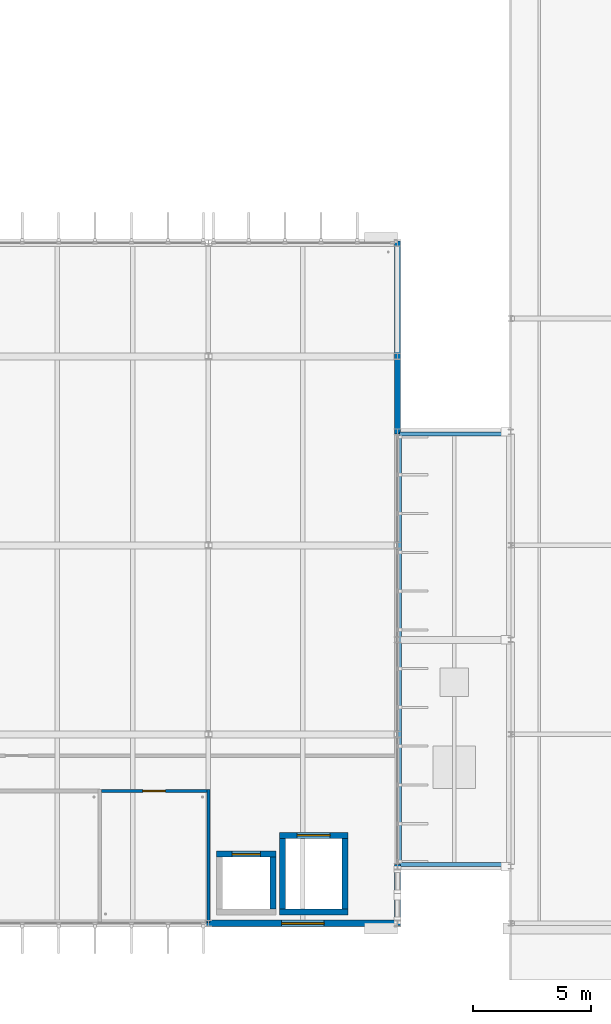
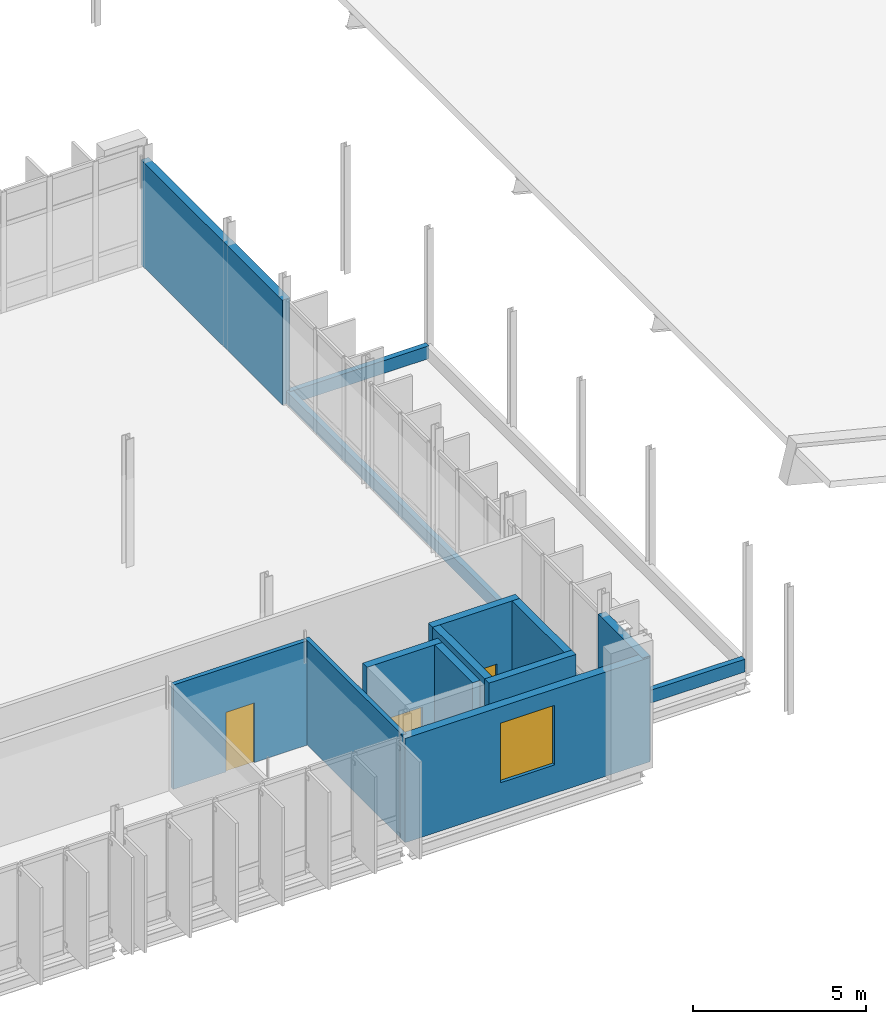
# One storey, part 54 of 93: 14 walls, 3 doors, 1 window, 4 openings.
"""IFC4 building model written with IfcOpenShell, lengths in metres."""

from ifc_helpers import new_model, si_unit, direction, frame, frame_2d, origin, place, context, subcontext, project, spatial, rectangle, extrude, material, layer, layer_set, type_object, element, fill, save


model = new_model("IFC4")

# Units and contexts
model_context = context("Model", 3, precision=1e-05, world=origin(), true_north=direction((0.0, 1.0)))
body_context = subcontext(model_context, "Body", "Model", "MODEL_VIEW")
ifc_project = project(units=[si_unit("LENGTHUNIT", "METRE"), si_unit("AREAUNIT", "SQUARE_METRE"), si_unit("VOLUMEUNIT", "CUBIC_METRE"), si_unit("PLANEANGLEUNIT", "RADIAN"), si_unit("MASSUNIT", "GRAM", prefix="KILO")], contexts=[model_context])

# Site, building, storey
site_placement = place(None, origin())
site = spatial("IfcSite", under=ifc_project, at=site_placement, CompositionType="ELEMENT")
building_placement = place(site_placement, origin())
building = spatial("IfcBuilding", under=site, at=building_placement, Name="Dunescarp Central Library", CompositionType="ELEMENT")
storey_placement = place(building_placement, frame((0.0, 0.0, 14.10009765625)))
storey = spatial("IfcBuildingStorey", under=building, at=storey_placement, Name="L03", CompositionType="ELEMENT", Elevation=14.10009765625)

# Wall, opening, door
ifc_material_1 = material(Name="Autoclaved aerated concrete block", Category="concrete")
ifc_layer_1 = layer(ifc_material_1, 0.139892578125)
ifc_layer_set_1 = layer_set([ifc_layer_1], Name="Autoclaved aerated concrete block")
wall_type_1 = type_object("IfcWallType", Name="ARC-PT-WET140", PredefinedType="PARTITIONING", material=ifc_layer_set_1)
wall_1_placement = place(storey_placement, frame((112.27001953125, 10.39990234375, 0.0), z_axis=(0.0, 0.0, 1.0), x_axis=(1.0, 0.0, 0.0)))
wall_1 = element("IfcWall", 1, at=wall_1_placement, inside=storey, type_object=wall_type_1, Name="L03 partition PT-L03-0290", PredefinedType="PARTITIONING", context=body_context, shape_type="SweptSolid", body=[
    extrude(rectangle(XDim=4.4599609375, YDim=0.139892578125, at=frame_2d((2.22998046875, 0.0))), origin(), (0.0, 0.0, 1.0), 3.6748046875),
])
opening_1_placement = place(wall_1_placement, frame((1.7548828125, 0.0, 0.0)))
opening_1 = element("IfcOpeningElement", 2, at=opening_1_placement, cuts=wall_1, Name="Opening DR-L03-0122", PredefinedType="OPENING", context=body_context, shape_type="SweptSolid", body=[
    extrude(rectangle(XDim=0.949951171875, YDim=2.10009765625, at=frame_2d((0.47509765625, 1.050048828125))), frame((0.0, 0.080078125, 0.0), z_axis=(0.0, -1.0, 0.0), x_axis=(1.0, 0.0, 0.0)), (0.0, 0.0, 1.0), 0.159912109375),
])
ifc_material_2 = material(Name="Hardwood solid-core timber leaf", Category="wood")
door_type_1 = type_object("IfcDoorType", Name="ARC-DR-WC950", OperationType="NOTDEFINED", PredefinedType="DOOR", material=ifc_material_2)
door_1_placement = place(opening_1_placement, origin())
door_1 = element("IfcDoor", 3, at=door_1_placement, inside=storey, type_object=door_type_1, Name="L03 interior door DR-L03-0122", OperationType="SINGLE_SWING_LEFT", OverallHeight=2.10009765625, OverallWidth=0.949951171875, PredefinedType="DOOR", context=body_context, shape_type="SweptSolid", body=[
    extrude(rectangle(XDim=0.949951171875, YDim=2.10009765625, at=frame_2d((0.47509765625, 1.050048828125))), frame((0.0, 0.02490234375, 0.0), z_axis=(0.0, -1.0, 0.0), x_axis=(1.0, 0.0, 0.0)), (0.0, 0.0, 1.0), 0.050048828125),
])
fill(opening_1, door_1)

# Walls
wall_2_placement = place(storey_placement, frame((116.800048828125, 4.840087890625, 0.0), z_axis=(0.0, 0.0, 1.0), x_axis=(0.0, 1.0, 0.0)))
element("IfcWall", 4, at=wall_2_placement, inside=storey, type_object=wall_type_1, Name="L03 partition PT-L03-0292", PredefinedType="PARTITIONING", context=body_context, shape_type="SweptSolid", body=[
    extrude(rectangle(XDim=5.6298828125, YDim=0.139892578125, at=frame_2d((2.81494140625, 0.0))), origin(), (0.0, 0.0, 1.0), 3.685791015625),
])
ifc_material_3 = material(Name="Glass-fibre reinforced concrete GRC", Category="concrete")
ifc_layer_2 = layer(ifc_material_3, 0.260009765625)
ifc_layer_set_2 = layer_set([ifc_layer_2], Name="Glass-fibre reinforced concrete GRC")
wall_type_2 = type_object("IfcWallType", Name="ARC-WL-GRC260", PredefinedType="SOLIDWALL", material=ifc_layer_set_2)
wall_3_placement = place(storey_placement, frame((124.800048828125, 7.284912109375, 0.0), z_axis=(0.0, 0.0, 1.0), x_axis=(0.0, -1.0, 0.0)))
element("IfcWall", 5, at=wall_3_placement, inside=storey, type_object=wall_type_2, Name="L03 external wall EW-V3-085", PredefinedType="SOLIDWALL", context=body_context, shape_type="SweptSolid", body=[
    extrude(rectangle(XDim=2.56982421875, YDim=0.260009765625, at=frame_2d((1.284912109375, 0.0))), origin(), (0.0, 0.0, 1.0), 3.685791015625),
])
wall_4_placement = place(storey_placement, frame((124.800048828125, 33.68505859375, 0.0), z_axis=(0.0, 0.0, 1.0), x_axis=(0.0, -1.0, 0.0)))
element("IfcWall", 6, at=wall_4_placement, inside=storey, type_object=wall_type_2, Name="L03 external wall EW-V3-086", PredefinedType="SOLIDWALL", context=body_context, shape_type="SweptSolid", body=[
    extrude(rectangle(XDim=8.170166015625, YDim=0.260009765625, at=frame_2d((4.0849609375, 0.0))), origin(), (0.0, 0.0, 1.0), 3.685791015625),
])

# Wall, opening, window
ifc_layer_3 = layer(ifc_material_3, 0.280029296875)
ifc_layer_set_3 = layer_set([ifc_layer_3], Name="Glass-fibre reinforced concrete GRC")
wall_type_3 = type_object("IfcWallType", Name="ARC-WL-GRC280", PredefinedType="SOLIDWALL", material=ifc_layer_set_3)
wall_5_placement = place(storey_placement, frame((124.885009765625, 4.800048828125, 0.0), z_axis=(0.0, 0.0, 1.0), x_axis=(-1.0, 0.0, 0.0)))
wall_5 = element("IfcWall", 7, at=wall_5_placement, inside=storey, type_object=wall_type_3, Name="L03 external wall EW-V3-082", PredefinedType="SOLIDWALL", context=body_context, shape_type="SweptSolid", body=[
    extrude(rectangle(XDim=8.169921875, YDim=0.280029296875, at=frame_2d((4.0849609375, 0.0))), origin(), (0.0, 0.0, 1.0), 3.6748046875),
])
opening_2_placement = place(wall_5_placement, frame((3.18505859375, 0.0, 1.0)))
opening_2 = element("IfcOpeningElement", 8, at=opening_2_placement, cuts=wall_5, Name="Opening WN-017", PredefinedType="OPENING", context=body_context, shape_type="SweptSolid", body=[
    extrude(rectangle(XDim=1.800048828125, YDim=2.10009765625, at=frame_2d((0.89990234375, 1.050048828125))), frame((0.0, 0.14990234375, 0.0), z_axis=(0.0, -1.0, 0.0), x_axis=(1.0, 0.0, 0.0)), (0.0, 0.0, 1.0), 0.300048828125),
])
ifc_material_4 = material(Name="Solar-control laminated double glazing", Category="glass")
window_type = type_object("IfcWindowType", Name="ARC-WN-1800X2100", PartitioningType="SINGLE_PANEL", PredefinedType="WINDOW", material=ifc_material_4)
window_placement = place(opening_2_placement, origin())
window = element("IfcWindow", 9, at=window_placement, inside=storey, type_object=window_type, Name="L03 window WN-017", OverallHeight=2.10009765625, OverallWidth=1.800048828125, PartitioningType="SINGLE_PANEL", PredefinedType="WINDOW", context=body_context, shape_type="SweptSolid", body=[
    extrude(rectangle(XDim=1.800048828125, YDim=2.10009765625, at=frame_2d((0.89990234375, 1.050048828125))), frame((0.0, 0.030029296875, 0.0), z_axis=(0.0, -1.0, 0.0), x_axis=(1.0, 0.0, 0.0)), (0.0, 0.0, 1.0), 0.06005859375),
])
fill(opening_2, window)

# Walls
ifc_material_5 = material(Name="Concrete C35/45", Category="concrete")
ifc_layer_4 = layer(ifc_material_5, 0.179931640625)
ifc_layer_set_4 = layer_set([ifc_layer_4], Name="Concrete C35/45")
wall_type_4 = type_object("IfcWallType", Name="ARC-WL-PAR180", PredefinedType="PARAPET", material=ifc_layer_set_4)
for number, where, z_axis, x_axis, name in (
    (10, (129.510009765625, 7.2900390625, 0.0), (0.0, 0.0, 1.0), (-1.0, 0.0, 0.0), "L03 maintenance roof parapet PAR-L03-005"),
    (11, (124.889892578125, 25.510009765625, 0.0), (0.0, 0.0, 1.0), (1.0, 0.0, 0.0), "L03 maintenance roof parapet PAR-L03-006"),
):
    element("IfcWall", number, at=place(storey_placement, frame(where, z_axis=z_axis, x_axis=x_axis)), inside=storey, type_object=wall_type_4, Name=name, PredefinedType="PARAPET", context=body_context, shape_type="SweptSolid", body=[
        extrude(rectangle(XDim=4.6201171875, YDim=0.179931640625, at=frame_2d((2.31005859375, 0.0))), origin(), (0.0, 0.0, 1.0), 0.449951171875),
    ])
wall_6_placement = place(storey_placement, frame((124.889892578125, 7.2900390625, 0.0), z_axis=(0.0, 0.0, 1.0), x_axis=(0.0, 1.0, 0.0)))
element("IfcWall", 12, at=wall_6_placement, inside=storey, type_object=wall_type_4, Name="L03 maintenance roof parapet PAR-L03-007", PredefinedType="PARAPET", context=body_context, shape_type="SweptSolid", body=[
    extrude(rectangle(XDim=18.219970703125, YDim=0.179931640625, at=frame_2d((9.10986328125, 0.0))), origin(), (0.0, 0.0, 1.0), 0.449951171875),
])

# Wall, opening, door
ifc_material_6 = material(Name="Concrete C40/50", Category="concrete")
ifc_layer_5 = layer(ifc_material_6, 0.25)
ifc_layer_set_5 = layer_set([ifc_layer_5], Name="Concrete C40/50")
wall_type_5 = type_object("IfcWallType", Name="STR-WL-CORE250", PredefinedType="SHEAR", material=ifc_layer_set_5)
wall_7_placement = place(storey_placement, frame((117.14990234375, 7.72509765625, 0.0), z_axis=(0.0, 0.0, 1.0), x_axis=(1.0, 0.0, 0.0)))
wall_7 = element("IfcWall", 13, at=wall_7_placement, inside=storey, type_object=wall_type_5, Name="L03 PL-3 lift shaft wall N", PredefinedType="SHEAR", context=body_context, shape_type="SweptSolid", body=[
    extrude(rectangle(XDim=2.5, YDim=0.25, at=frame_2d((1.25, 0.0))), origin(), (0.0, 0.0, 1.0), 4.25),
])
opening_3_placement = place(wall_7_placement, frame((0.64990234375, 0.0, 0.0)))
opening_3 = element("IfcOpeningElement", 14, at=opening_3_placement, cuts=wall_7, Name="Opening LD-PL-3-L03", PredefinedType="OPENING", context=body_context, shape_type="SweptSolid", body=[
    extrude(rectangle(XDim=1.199951171875, YDim=2.199951171875, at=frame_2d((0.60009765625, 1.10009765625))), frame((0.0, 0.135009765625, 0.0), z_axis=(0.0, -1.0, 0.0), x_axis=(1.0, 0.0, 0.0)), (0.0, 0.0, 1.0), 0.27001953125),
])
ifc_material_7 = material(Name="Stainless steel Grade 316L", Category="steel")
door_type_2 = type_object("IfcDoorType", Name="ARC-DR-LD1200", OperationType="DOUBLE_DOOR_SLIDING", PredefinedType="DOOR", material=ifc_material_7)
door_2_placement = place(opening_3_placement, origin())
door_2 = element("IfcDoor", 15, at=door_2_placement, inside=storey, type_object=door_type_2, Name="L03 PL-3 lift landing door", OperationType="DOUBLE_DOOR_SLIDING", OverallHeight=2.199951171875, OverallWidth=1.199951171875, PredefinedType="DOOR", context=body_context, shape_type="SweptSolid", body=[
    extrude(rectangle(XDim=1.199951171875, YDim=2.199951171875, at=frame_2d((0.60009765625, 1.10009765625))), frame((0.0, 0.02490234375, 0.0), z_axis=(0.0, -1.0, 0.0), x_axis=(1.0, 0.0, 0.0)), (0.0, 0.0, 1.0), 0.050048828125),
])
fill(opening_3, door_2)

# Walls
wall_8_placement = place(storey_placement, frame((119.52490234375, 7.60009765625, 0.0), z_axis=(0.0, 0.0, 1.0), x_axis=(0.0, -1.0, 0.0)))
element("IfcWall", 16, at=wall_8_placement, inside=storey, type_object=wall_type_5, Name="L03 PL-3 lift shaft wall E", PredefinedType="SHEAR", context=body_context, shape_type="SweptSolid", body=[
    extrude(rectangle(XDim=2.2001953125, YDim=0.25, at=frame_2d((1.10009765625, 0.0))), origin(), (0.0, 0.0, 1.0), 4.25),
])
wall_9_placement = place(storey_placement, frame((122.699951171875, 5.27490234375, 0.0), z_axis=(0.0, 0.0, 1.0), x_axis=(-1.0, 0.0, 0.0)))
element("IfcWall", 17, at=wall_9_placement, inside=storey, type_object=wall_type_5, Name="L03 BL-1 lift shaft wall S", PredefinedType="SHEAR", context=body_context, shape_type="SweptSolid", body=[
    extrude(rectangle(XDim=2.89990234375, YDim=0.25, at=frame_2d((1.449951171875, 0.0))), origin(), (0.0, 0.0, 1.0), 4.25),
])

# Wall, opening, door
wall_10_placement = place(storey_placement, frame((119.800048828125, 8.52490234375, 0.0), z_axis=(0.0, 0.0, 1.0), x_axis=(1.0, 0.0, 0.0)))
wall_10 = element("IfcWall", 18, at=wall_10_placement, inside=storey, type_object=wall_type_5, Name="L03 BL-1 lift shaft wall N", PredefinedType="SHEAR", context=body_context, shape_type="SweptSolid", body=[
    extrude(rectangle(XDim=2.89990234375, YDim=0.25, at=frame_2d((1.449951171875, 0.0))), origin(), (0.0, 0.0, 1.0), 4.25),
])
opening_4_placement = place(wall_10_placement, frame((0.75, 0.0, 0.0)))
opening_4 = element("IfcOpeningElement", 19, at=opening_4_placement, cuts=wall_10, Name="Opening LD-BL-1-L03", PredefinedType="OPENING", context=body_context, shape_type="SweptSolid", body=[
    extrude(rectangle(XDim=1.39990234375, YDim=2.199951171875, at=frame_2d((0.699951171875, 1.10009765625))), frame((0.0, 0.135009765625, 0.0), z_axis=(0.0, -1.0, 0.0), x_axis=(1.0, 0.0, 0.0)), (0.0, 0.0, 1.0), 0.27001953125),
])
door_type_3 = type_object("IfcDoorType", Name="ARC-DR-LD1400", OperationType="DOUBLE_DOOR_SLIDING", PredefinedType="DOOR", material=ifc_material_7)
door_3_placement = place(opening_4_placement, origin())
door_3 = element("IfcDoor", 20, at=door_3_placement, inside=storey, type_object=door_type_3, Name="L03 BL-1 lift landing door", OperationType="DOUBLE_DOOR_SLIDING", OverallHeight=2.199951171875, OverallWidth=1.39990234375, PredefinedType="DOOR", context=body_context, shape_type="SweptSolid", body=[
    extrude(rectangle(XDim=1.39990234375, YDim=2.199951171875, at=frame_2d((0.699951171875, 1.10009765625))), frame((0.0, 0.02490234375, 0.0), z_axis=(0.0, -1.0, 0.0), x_axis=(1.0, 0.0, 0.0)), (0.0, 0.0, 1.0), 0.050048828125),
])
fill(opening_4, door_3)

# Walls
for number, where, z_axis, x_axis, name in (
    (21, (119.925048828125, 5.39990234375, 0.0), (0.0, 0.0, 1.0), (0.0, 1.0, 0.0), "L03 BL-1 lift shaft wall W"),
    (22, (122.574951171875, 8.39990234375, 0.0), (0.0, 0.0, 1.0), (0.0, -1.0, 0.0), "L03 BL-1 lift shaft wall E"),
):
    element("IfcWall", number, at=place(storey_placement, frame(where, z_axis=z_axis, x_axis=x_axis)), inside=storey, type_object=wall_type_5, Name=name, PredefinedType="SHEAR", context=body_context, shape_type="SweptSolid", body=[
        extrude(rectangle(XDim=3.0, YDim=0.25, at=frame_2d((1.5, 0.0))), origin(), (0.0, 0.0, 1.0), 4.25),
    ])

save(model, "model.ifc")
